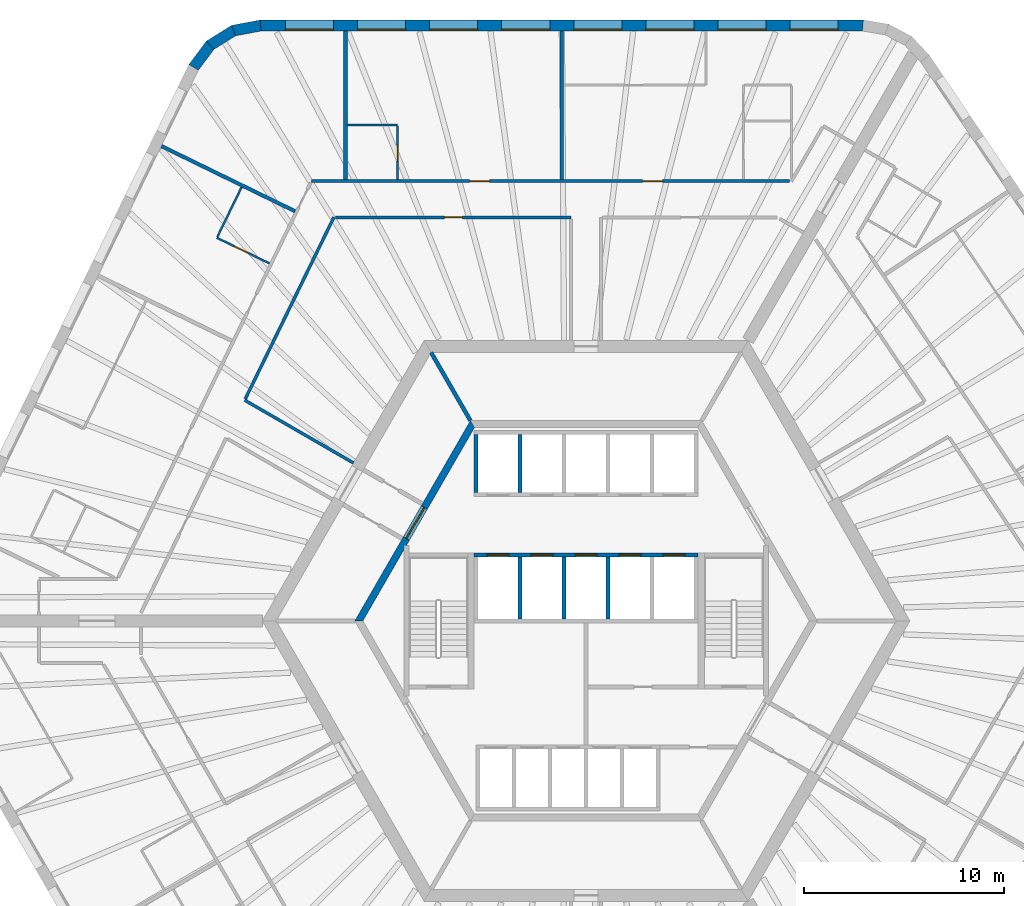
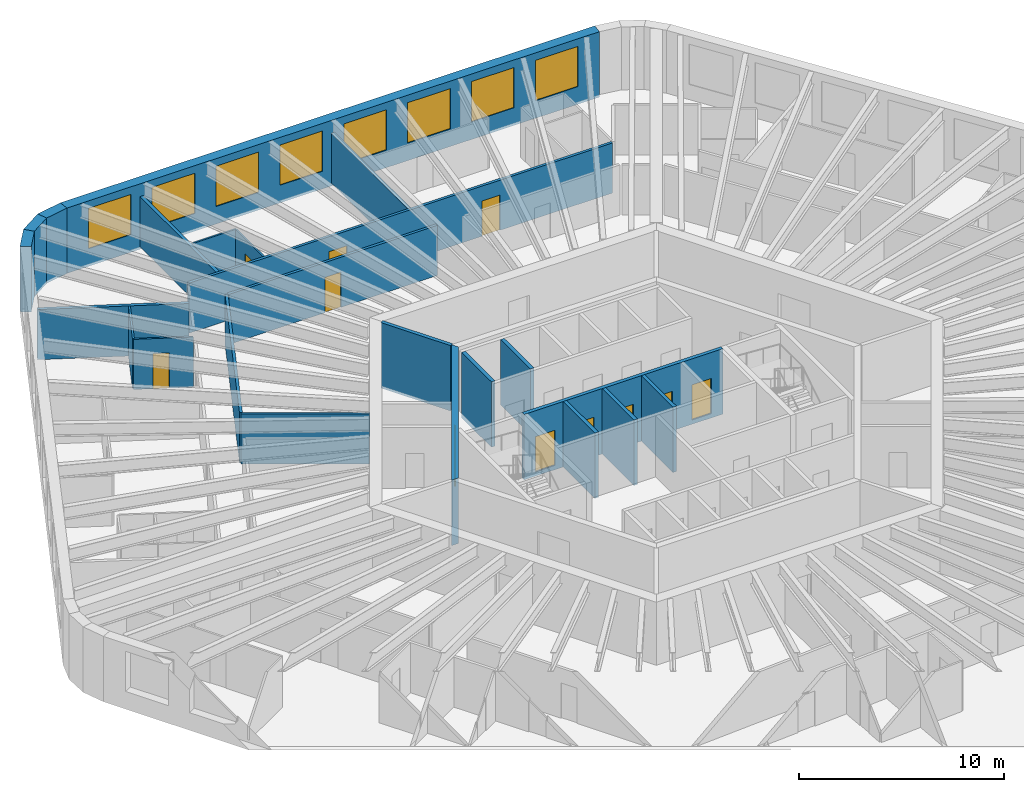
# One storey, part 8 of 12: 23 walls, 11 doors, 8 windows, 19 openings.
"""IFC4 building model written with IfcOpenShell, lengths in metres."""

from ifc_helpers import new_model, si_unit, direction, frame, frame_2d, origin, place, context, subcontext, project, spatial, polyline, rectangle, outline, extrude, material, layer, layer_set, type_object, element, fill, save


model = new_model("IFC4")

# Units and contexts
model_context = context("Model", 3, precision=1e-05, world=origin(), true_north=direction((0.0, 1.0)))
body_context = subcontext(model_context, "Body", "Model", "MODEL_VIEW")
ifc_project = project(units=[si_unit("LENGTHUNIT", "METRE"), si_unit("AREAUNIT", "SQUARE_METRE"), si_unit("VOLUMEUNIT", "CUBIC_METRE"), si_unit("PLANEANGLEUNIT", "RADIAN"), si_unit("MASSUNIT", "GRAM", prefix="KILO")], contexts=[model_context])

# Site, building, storey
site_placement = place(None, origin())
site = spatial("IfcSite", under=ifc_project, at=site_placement, CompositionType="ELEMENT")
building_placement = place(site_placement, origin())
building = spatial("IfcBuilding", under=site, at=building_placement, Name="Tarnside Tower", CompositionType="ELEMENT")
storey_placement = place(building_placement, frame((0.0, 0.0, 76.5)))
storey = spatial("IfcBuildingStorey", under=building, at=storey_placement, Name="L16", CompositionType="ELEMENT", Elevation=76.5)

# Wall
ifc_material_1 = material(Name="Gypsum board partition on steel studs", Category="steel")
ifc_layer_1 = layer(ifc_material_1, 0.10009765625)
ifc_layer_set_1 = layer_set([ifc_layer_1], Name="Bathroom wall 100")
wall_type_1 = type_object("IfcWallType", Name="Bathroom wall 100", PredefinedType="PARTITIONING", material=ifc_layer_set_1)
wall_1_placement = place(storey_placement, frame((-11.921142578125, 24.75, 0.0), z_axis=(0.0, 0.0, 1.0), x_axis=(1.0, 0.0, 0.0)))
element("IfcWall", 1, at=wall_1_placement, inside=storey, type_object=wall_type_1, Name="Bathroom wall 04086", PredefinedType="PARTITIONING", context=body_context, shape_type="SweptSolid", body=[
    extrude(rectangle(XDim=2.510009765625, YDim=0.10009765625, at=frame_2d((1.2548828125, 0.0))), origin(), (0.0, 0.0, 1.0), 2.98779296875),
])

# Wall, opening, door
wall_2_placement = place(storey_placement, frame((-9.4111328125, 24.699951171875, 0.0), z_axis=(0.0, 0.0, 1.0), x_axis=(0.0, -1.0, 0.0)))
wall_2 = element("IfcWall", 2, at=wall_2_placement, inside=storey, type_object=wall_type_1, Name="Bathroom wall 04087", PredefinedType="PARTITIONING", context=body_context, shape_type="SweptSolid", body=[
    extrude(rectangle(XDim=2.675048828125, YDim=0.10009765625, at=frame_2d((1.33740234375, 0.0))), origin(), (0.0, 0.0, 1.0), 2.98779296875),
])
opening_1_placement = place(wall_2_placement, frame((0.949951171875, 0.0, 0.0)))
opening_1 = element("IfcOpeningElement", 3, at=opening_1_placement, cuts=wall_2, Name="Opening D-B1", PredefinedType="OPENING", context=body_context, shape_type="SweptSolid", body=[
    extrude(rectangle(XDim=0.800048828125, YDim=2.10009765625, at=frame_2d((0.39990234375, 1.050048828125))), frame((0.0, 0.06005859375, 0.0), z_axis=(0.0, -1.0, 0.0), x_axis=(1.0, 0.0, 0.0)), (0.0, 0.0, 1.0), 0.1201171875),
])
ifc_material_2 = material(Name="Timber door leaf", Category="wood")
door_type_1 = type_object("IfcDoorType", Name="Bathroom door 800", OperationType="NOTDEFINED", PredefinedType="DOOR", material=ifc_material_2)
door_1_placement = place(opening_1_placement, origin())
door_1 = element("IfcDoor", 4, at=door_1_placement, inside=storey, type_object=door_type_1, Name="Bathroom door 04006", OperationType="SINGLE_SWING_LEFT", OverallHeight=2.10009765625, OverallWidth=0.800048828125, PredefinedType="DOOR", context=body_context, shape_type="SweptSolid", body=[
    extrude(rectangle(XDim=0.800048828125, YDim=2.10009765625, at=frame_2d((0.39990234375, 1.050048828125))), frame((0.0, 0.02490234375, 0.0), z_axis=(0.0, -1.0, 0.0), x_axis=(1.0, 0.0, 0.0)), (0.0, 0.0, 1.0), 0.050048828125),
])
fill(opening_1, door_1)

wall_3_placement = place(storey_placement, frame((-15.802001953125, 17.84423828125, 0.0), z_axis=(0.0, 0.0, 1.0), x_axis=(-0.898790906006, 0.438377585285, 0.0)))
wall_3 = element("IfcWall", 5, at=wall_3_placement, inside=storey, type_object=wall_type_1, Name="Bathroom wall 04092", PredefinedType="PARTITIONING", context=body_context, shape_type="SweptSolid", body=[
    extrude(rectangle(XDim=2.925048828125, YDim=0.10009765625, at=frame_2d((1.46240234375, 0.0))), origin(), (0.0, 0.0, 1.0), 2.98779296875),
])
opening_2_placement = place(wall_3_placement, frame((1.175048828125, 0.0, 0.0)))
opening_2 = element("IfcOpeningElement", 6, at=opening_2_placement, cuts=wall_3, Name="Opening D-B1", PredefinedType="OPENING", context=body_context, shape_type="SweptSolid", body=[
    extrude(rectangle(XDim=0.800048828125, YDim=2.10009765625, at=frame_2d((0.39990234375, 1.050048828125))), frame((0.0, 0.06005859375, 0.0), z_axis=(0.0, -1.0, 0.0), x_axis=(1.0, 0.0, 0.0)), (0.0, 0.0, 1.0), 0.1201171875),
])
door_2_placement = place(opening_2_placement, origin())
door_2 = element("IfcDoor", 7, at=door_2_placement, inside=storey, type_object=door_type_1, Name="Bathroom door 04009", OperationType="SINGLE_SWING_LEFT", OverallHeight=2.10009765625, OverallWidth=0.800048828125, PredefinedType="DOOR", context=body_context, shape_type="SweptSolid", body=[
    extrude(rectangle(XDim=0.800048828125, YDim=2.10009765625, at=frame_2d((0.39990234375, 1.050048828125))), frame((0.0, 0.02490234375, 0.0), z_axis=(0.0, -1.0, 0.0), x_axis=(1.0, 0.0, 0.0)), (0.0, 0.0, 1.0), 0.050048828125),
])
fill(opening_2, door_2)

# Wall
wall_4_placement = place(storey_placement, frame((-18.408935546875, 19.17138671875, 0.0), z_axis=(0.0, 0.0, 1.0), x_axis=(0.438416660488, 0.898771846359, 0.0)))
element("IfcWall", 8, at=wall_4_placement, inside=storey, type_object=wall_type_1, Name="Bathroom wall 04093", PredefinedType="PARTITIONING", context=body_context, shape_type="SweptSolid", body=[
    extrude(rectangle(XDim=2.759765625, YDim=0.10009765625, at=frame_2d((1.3798828125, 0.0))), origin(), (0.0, 0.0, 1.0), 2.98779296875),
])

# Wall, opening, door
ifc_material_3 = material(Name="Concrete C50/60", Category="concrete")
ifc_layer_2 = layer(ifc_material_3, 0.35009765625)
ifc_layer_set_2 = layer_set([ifc_layer_2], Name="Core block wall 350 C50/60")
wall_type_2 = type_object("IfcWallType", Name="Core block wall 350 C50/60", PredefinedType="SHEAR", material=ifc_layer_set_2)
wall_5_placement = place(storey_placement, frame((-5.672607421875, 9.824951171875, -0.14990234375), z_axis=(0.0, 0.0, 1.0), x_axis=(-0.499995046907, -0.866028263435, 0.0)))
wall_5 = element("IfcWall", 9, at=wall_5_placement, inside=storey, type_object=wall_type_2, Name="L16 core block wall face 2", PredefinedType="SHEAR", context=body_context, shape_type="SweptSolid", body=[
    extrude(outline(polyline([(-0.10107421875, -0.175048828125), (11.44580078125, -0.175048828125), (11.24365234375, 0.175048828125), (0.10107421875, 0.175048828125), (-0.10107421875, -0.175048828125)])), origin(), (0.0, 0.0, 1.0), 3.89990234375),
])
opening_3_placement = place(wall_5_placement, frame((4.80126953125, 0.0, 0.14990234375)))
opening_3 = element("IfcOpeningElement", 10, at=opening_3_placement, cuts=wall_5, Name="Opening CD-LOB", PredefinedType="OPENING", context=body_context, shape_type="SweptSolid", body=[
    extrude(rectangle(XDim=1.800048828125, YDim=2.39990234375, at=frame_2d((0.89990234375, 1.199951171875))), frame((0.0, 0.18505859375, 0.0), z_axis=(0.0, -1.0, 0.0), x_axis=(1.0, 0.0, 0.0)), (0.0, 0.0, 1.0), 0.3701171875),
])
ifc_material_4 = material(Name="Steel fire door", Category="steel")
door_type_2 = type_object("IfcDoorType", Name="Lobby double door FD30S 1800x2400", OperationType="NOTDEFINED", PredefinedType="DOOR", material=ifc_material_4)
door_3_placement = place(opening_3_placement, origin())
door_3 = element("IfcDoor", 11, at=door_3_placement, inside=storey, type_object=door_type_2, Name="L16 lobby block door P1", OperationType="DOUBLE_DOOR_SINGLE_SWING", OverallHeight=2.39990234375, OverallWidth=1.800048828125, PredefinedType="DOOR", context=body_context, shape_type="SweptSolid", body=[
    extrude(rectangle(XDim=1.800048828125, YDim=2.39990234375, at=frame_2d((0.89990234375, 1.199951171875))), frame((0.0, 0.02490234375, 0.0), z_axis=(0.0, -1.0, 0.0), x_axis=(1.0, 0.0, 0.0)), (0.0, 0.0, 1.0), 0.050048828125),
])
fill(opening_3, door_3)

# Wall, openings, doors
ifc_layer_3 = layer(ifc_material_1, 0.14990234375)
ifc_layer_set_3 = layer_set([ifc_layer_3], Name="Corridor wall 150 EI 60")
wall_type_3 = type_object("IfcWallType", Name="Corridor wall 150 EI 60", PredefinedType="PARTITIONING", material=ifc_layer_set_3)
wall_6_placement = place(storey_placement, frame((10.161376953125, 21.949951171875, 0.0), z_axis=(0.0, 0.0, 1.0), x_axis=(-1.0, 0.0, 0.0)))
wall_6 = element("IfcWall", 12, at=wall_6_placement, inside=storey, type_object=wall_type_3, Name="Corridor wall 04001", PredefinedType="PARTITIONING", context=body_context, shape_type="SweptSolid", body=[
    extrude(rectangle(XDim=23.877197265625, YDim=0.14990234375, at=frame_2d((11.9384765625, 0.0))), origin(), (0.0, 0.0, 1.0), 2.98779296875),
])
opening_4_placement = place(wall_6_placement, frame((6.343017578125, 0.0, 0.0)))
opening_4 = element("IfcOpeningElement", 13, at=opening_4_placement, cuts=wall_6, Name="Opening D-E1", PredefinedType="OPENING", context=body_context, shape_type="SweptSolid", body=[
    extrude(rectangle(XDim=1.0, YDim=2.10009765625, at=frame_2d((0.5, 1.050048828125))), frame((0.0, 0.0849609375, 0.0), z_axis=(0.0, -1.0, 0.0), x_axis=(1.0, 0.0, 0.0)), (0.0, 0.0, 1.0), 0.169921875),
])
opening_5_placement = place(wall_6_placement, frame((14.972412109375, 0.0, 0.0)))
opening_5 = element("IfcOpeningElement", 14, at=opening_5_placement, cuts=wall_6, Name="Opening D-E1", PredefinedType="OPENING", context=body_context, shape_type="SweptSolid", body=[
    extrude(rectangle(XDim=1.0, YDim=2.10009765625, at=frame_2d((0.5, 1.050048828125))), frame((0.0, 0.0849609375, 0.0), z_axis=(0.0, -1.0, 0.0), x_axis=(1.0, 0.0, 0.0)), (0.0, 0.0, 1.0), 0.169921875),
])
door_type_3 = type_object("IfcDoorType", Name="Unit entrance door 1000 FD30S", OperationType="NOTDEFINED", PredefinedType="DOOR", material=ifc_material_2)
door_4_placement = place(opening_4_placement, origin())
door_4 = element("IfcDoor", 15, at=door_4_placement, inside=storey, type_object=door_type_3, Name="Unit door 04001", OperationType="SINGLE_SWING_LEFT", OverallHeight=2.10009765625, OverallWidth=1.0, PredefinedType="DOOR", context=body_context, shape_type="SweptSolid", body=[
    extrude(rectangle(XDim=1.0, YDim=2.10009765625, at=frame_2d((0.5, 1.050048828125))), frame((0.0, 0.02490234375, 0.0), z_axis=(0.0, -1.0, 0.0), x_axis=(1.0, 0.0, 0.0)), (0.0, 0.0, 1.0), 0.050048828125),
])
fill(opening_4, door_4)
door_5_placement = place(opening_5_placement, origin())
door_5 = element("IfcDoor", 16, at=door_5_placement, inside=storey, type_object=door_type_3, Name="Unit door 04005", OperationType="SINGLE_SWING_RIGHT", OverallHeight=2.10009765625, OverallWidth=1.0, PredefinedType="DOOR", context=body_context, shape_type="SweptSolid", body=[
    extrude(rectangle(XDim=1.0, YDim=2.10009765625, at=frame_2d((0.5, 1.050048828125))), frame((0.0, 0.02490234375, 0.0), z_axis=(0.0, -1.0, 0.0), x_axis=(1.0, 0.0, 0.0)), (0.0, 0.0, 1.0), 0.050048828125),
])
fill(opening_5, door_5)

# Walls
wall_7_placement = place(storey_placement, frame((-11.61376953125, 7.88427734375, 0.0), z_axis=(0.0, 0.0, 1.0), x_axis=(-0.866025438137, 0.4999999405, 0.0)))
element("IfcWall", 17, at=wall_7_placement, inside=storey, type_object=wall_type_3, Name="Corridor wall 04016", PredefinedType="PARTITIONING", context=body_context, shape_type="SweptSolid", body=[
    extrude(rectangle(XDim=6.2705078125, YDim=0.14990234375, at=frame_2d((3.13525390625, 0.0))), origin(), (0.0, 0.0, 1.0), 2.98779296875),
])
wall_8_placement = place(storey_placement, frame((-17.01123046875, 11.087158203125, 0.0), z_axis=(0.0, 0.0, 1.0), x_axis=(0.43836877185, 0.898795204631, 0.0)))
element("IfcWall", 18, at=wall_8_placement, inside=storey, type_object=wall_type_3, Name="Corridor wall 04017", PredefinedType="PARTITIONING", context=body_context, shape_type="SweptSolid", body=[
    extrude(rectangle(XDim=10.083251953125, YDim=0.14990234375, at=frame_2d((5.04150390625, 0.0))), origin(), (0.0, 0.0, 1.0), 2.98779296875),
])

# Wall, opening, door
wall_9_placement = place(storey_placement, frame((-12.507568359375, 20.14990234375, 0.0), z_axis=(0.0, 0.0, 1.0), x_axis=(1.0, 0.0, 0.0)))
wall_9 = element("IfcWall", 19, at=wall_9_placement, inside=storey, type_object=wall_type_3, Name="Corridor wall 04018", PredefinedType="PARTITIONING", context=body_context, shape_type="SweptSolid", body=[
    extrude(rectangle(XDim=11.757568359375, YDim=0.14990234375, at=frame_2d((5.87890625, 0.0))), origin(), (0.0, 0.0, 1.0), 2.98779296875),
])
opening_6_placement = place(wall_9_placement, frame((5.428955078125, 0.0, 0.0)))
opening_6 = element("IfcOpeningElement", 20, at=opening_6_placement, cuts=wall_9, Name="Opening D-S1", PredefinedType="OPENING", context=body_context, shape_type="SweptSolid", body=[
    extrude(rectangle(XDim=0.89990234375, YDim=2.10009765625, at=frame_2d((0.449951171875, 1.050048828125))), frame((0.0, 0.0849609375, 0.0), z_axis=(0.0, -1.0, 0.0), x_axis=(1.0, 0.0, 0.0)), (0.0, 0.0, 1.0), 0.169921875),
])
door_type_4 = type_object("IfcDoorType", Name="Service room door 900 FD30S", OperationType="NOTDEFINED", PredefinedType="DOOR", material=ifc_material_2)
door_6_placement = place(opening_6_placement, origin())
door_6 = element("IfcDoor", 21, at=door_6_placement, inside=storey, type_object=door_type_4, Name="Service door 04041", OperationType="SINGLE_SWING_RIGHT", OverallHeight=2.10009765625, OverallWidth=0.89990234375, PredefinedType="DOOR", context=body_context, shape_type="SweptSolid", body=[
    extrude(rectangle(XDim=0.89990234375, YDim=2.10009765625, at=frame_2d((0.449951171875, 1.050048828125))), frame((0.0, 0.02490234375, 0.0), z_axis=(0.0, -1.0, 0.0), x_axis=(1.0, 0.0, 0.0)), (0.0, 0.0, 1.0), 0.050048828125),
])
fill(opening_6, door_6)

# Walls
ifc_layer_4 = layer(ifc_material_1, 0.179931640625)
ifc_layer_set_4 = layer_set([ifc_layer_4], Name="Demising wall 180 EI 60")
wall_type_4 = type_object("IfcWallType", Name="Demising wall 180 EI 60", PredefinedType="PARTITIONING", material=ifc_layer_set_4)
for number, where, z_axis, x_axis, name in (
    (22, (-1.2109375, 29.449951171875, 0.0), (0.0, 0.0, 1.0), (0.0, -1.0, 0.0), "Demising wall 04083"),
    (23, (-12.010986328125, 29.449951171875, 0.0), (0.0, 0.0, 1.0), (0.0, -1.0, 0.0), "Demising wall 04088"),
    (24, (-21.2041015625, 23.70556640625, 0.0), (0.0, 0.0, 1.0), (0.898796252669, -0.438366623032, 0.0), "Demising wall 04090"),
):
    element("IfcWall", number, at=place(storey_placement, frame(where, z_axis=z_axis, x_axis=x_axis)), inside=storey, type_object=wall_type_4, Name=name, PredefinedType="PARTITIONING", context=body_context, shape_type="SweptSolid", body=[
        extrude(rectangle(XDim=7.425048828125, YDim=0.179931640625, at=frame_2d((3.71240234375, 0.0))), origin(), (0.0, 0.0, 1.0), 2.98779296875),
    ])
ifc_material_5 = material(Name="Concrete C40/50", Category="concrete")
ifc_layer_5 = layer(ifc_material_5, 0.199951171875)
ifc_layer_set_5 = layer_set([ifc_layer_5], Name="Lift shaft wall 200 C40/50")
wall_type_5 = type_object("IfcWallType", Name="Lift shaft wall 200 C40/50", PredefinedType="SHEAR", material=ifc_layer_set_5)
for number, where, z_axis, x_axis, name in (
    (25, (-5.5, 6.39990234375, -0.25), (0.0, 0.0, 1.0), (0.0, 1.0, 0.0), "L16 lift shaft partition R11"),
    (26, (-3.300048828125, 6.39990234375, -0.25), (0.0, 0.0, 1.0), (0.0, 1.0, 0.0), "L16 lift shaft partition R12"),
):
    element("IfcWall", number, at=place(storey_placement, frame(where, z_axis=z_axis, x_axis=x_axis)), inside=storey, type_object=wall_type_5, Name=name, PredefinedType="SHEAR", context=body_context, shape_type="SweptSolid", body=[
        extrude(rectangle(XDim=2.900146484375, YDim=0.199951171875, at=frame_2d((1.4501953125, 0.0))), origin(), (0.0, 0.0, 1.0), 3.89990234375),
    ])

# Wall, openings, doors
wall_10_placement = place(storey_placement, frame((-5.60009765625, 3.300048828125, -0.25), z_axis=(0.0, 0.0, 1.0), x_axis=(1.0, 0.0, 0.0)))
wall_10 = element("IfcWall", 27, at=wall_10_placement, inside=storey, type_object=wall_type_5, Name="L16 lift shaft front wall R2", PredefinedType="SHEAR", context=body_context, shape_type="SweptSolid", body=[
    extrude(rectangle(XDim=11.2001953125, YDim=0.199951171875, at=frame_2d((5.60009765625, 0.0))), origin(), (0.0, 0.0, 1.0), 3.89990234375),
])
opening_7_placement = place(wall_10_placement, frame((0.64990234375, 0.0, 0.25)))
opening_7 = element("IfcOpeningElement", 28, at=opening_7_placement, cuts=wall_10, Name="Opening LD", PredefinedType="OPENING", context=body_context, shape_type="SweptSolid", body=[
    extrude(rectangle(XDim=1.10009765625, YDim=2.10009765625, at=frame_2d((0.550048828125, 1.050048828125))), frame((0.0, 0.10986328125, 0.0), z_axis=(0.0, -1.0, 0.0), x_axis=(1.0, 0.0, 0.0)), (0.0, 0.0, 1.0), 0.219970703125),
])
opening_8_placement = place(wall_10_placement, frame((2.85009765625, 0.0, 0.25)))
opening_8 = element("IfcOpeningElement", 29, at=opening_8_placement, cuts=wall_10, Name="Opening LD", PredefinedType="OPENING", context=body_context, shape_type="SweptSolid", body=[
    extrude(rectangle(XDim=1.10009765625, YDim=2.10009765625, at=frame_2d((0.550048828125, 1.050048828125))), frame((0.0, 0.10986328125, 0.0), z_axis=(0.0, -1.0, 0.0), x_axis=(1.0, 0.0, 0.0)), (0.0, 0.0, 1.0), 0.219970703125),
])
opening_9_placement = place(wall_10_placement, frame((5.050048828125, 0.0, 0.25)))
opening_9 = element("IfcOpeningElement", 30, at=opening_9_placement, cuts=wall_10, Name="Opening LD", PredefinedType="OPENING", context=body_context, shape_type="SweptSolid", body=[
    extrude(rectangle(XDim=1.10009765625, YDim=2.10009765625, at=frame_2d((0.550048828125, 1.050048828125))), frame((0.0, 0.10986328125, 0.0), z_axis=(0.0, -1.0, 0.0), x_axis=(1.0, 0.0, 0.0)), (0.0, 0.0, 1.0), 0.219970703125),
])
opening_10_placement = place(wall_10_placement, frame((7.25, 0.0, 0.25)))
opening_10 = element("IfcOpeningElement", 31, at=opening_10_placement, cuts=wall_10, Name="Opening LD", PredefinedType="OPENING", context=body_context, shape_type="SweptSolid", body=[
    extrude(rectangle(XDim=1.10009765625, YDim=2.10009765625, at=frame_2d((0.550048828125, 1.050048828125))), frame((0.0, 0.10986328125, 0.0), z_axis=(0.0, -1.0, 0.0), x_axis=(1.0, 0.0, 0.0)), (0.0, 0.0, 1.0), 0.219970703125),
])
opening_11_placement = place(wall_10_placement, frame((9.449951171875, 0.0, 0.25)))
opening_11 = element("IfcOpeningElement", 32, at=opening_11_placement, cuts=wall_10, Name="Opening LD", PredefinedType="OPENING", context=body_context, shape_type="SweptSolid", body=[
    extrude(rectangle(XDim=1.10009765625, YDim=2.10009765625, at=frame_2d((0.550048828125, 1.050048828125))), frame((0.0, 0.10986328125, 0.0), z_axis=(0.0, -1.0, 0.0), x_axis=(1.0, 0.0, 0.0)), (0.0, 0.0, 1.0), 0.219970703125),
])
ifc_material_6 = material(Name="Stainless steel", Category="steel")
door_type_5 = type_object("IfcDoorType", Name="Lift landing door 1100x2100", OperationType="NOTDEFINED", PredefinedType="DOOR", material=ifc_material_6)
door_7_placement = place(opening_7_placement, origin())
door_7 = element("IfcDoor", 33, at=door_7_placement, inside=storey, type_object=door_type_5, Name="Low-rise lift 4 landing door L16", OperationType="SLIDING_TO_LEFT", OverallHeight=2.10009765625, OverallWidth=1.10009765625, PredefinedType="DOOR", context=body_context, shape_type="SweptSolid", body=[
    extrude(rectangle(XDim=1.10009765625, YDim=2.10009765625, at=frame_2d((0.550048828125, 1.050048828125))), frame((0.0, 0.02490234375, 0.0), z_axis=(0.0, -1.0, 0.0), x_axis=(1.0, 0.0, 0.0)), (0.0, 0.0, 1.0), 0.050048828125),
])
fill(opening_7, door_7)
door_8_placement = place(opening_8_placement, origin())
door_8 = element("IfcDoor", 34, at=door_8_placement, inside=storey, type_object=door_type_5, Name="Low-rise lift 5 landing door L16", OperationType="SLIDING_TO_LEFT", OverallHeight=2.10009765625, OverallWidth=1.10009765625, PredefinedType="DOOR", context=body_context, shape_type="SweptSolid", body=[
    extrude(rectangle(XDim=1.10009765625, YDim=2.10009765625, at=frame_2d((0.550048828125, 1.050048828125))), frame((0.0, 0.02490234375, 0.0), z_axis=(0.0, -1.0, 0.0), x_axis=(1.0, 0.0, 0.0)), (0.0, 0.0, 1.0), 0.050048828125),
])
fill(opening_8, door_8)
door_9_placement = place(opening_9_placement, origin())
door_9 = element("IfcDoor", 35, at=door_9_placement, inside=storey, type_object=door_type_5, Name="Low-rise lift 6 landing door L16", OperationType="SLIDING_TO_LEFT", OverallHeight=2.10009765625, OverallWidth=1.10009765625, PredefinedType="DOOR", context=body_context, shape_type="SweptSolid", body=[
    extrude(rectangle(XDim=1.10009765625, YDim=2.10009765625, at=frame_2d((0.550048828125, 1.050048828125))), frame((0.0, 0.02490234375, 0.0), z_axis=(0.0, -1.0, 0.0), x_axis=(1.0, 0.0, 0.0)), (0.0, 0.0, 1.0), 0.050048828125),
])
fill(opening_9, door_9)
door_10_placement = place(opening_10_placement, origin())
door_10 = element("IfcDoor", 36, at=door_10_placement, inside=storey, type_object=door_type_5, Name="High sky-lobby shuttle 1 landing door L16", OperationType="SLIDING_TO_LEFT", OverallHeight=2.10009765625, OverallWidth=1.10009765625, PredefinedType="DOOR", context=body_context, shape_type="SweptSolid", body=[
    extrude(rectangle(XDim=1.10009765625, YDim=2.10009765625, at=frame_2d((0.550048828125, 1.050048828125))), frame((0.0, 0.02490234375, 0.0), z_axis=(0.0, -1.0, 0.0), x_axis=(1.0, 0.0, 0.0)), (0.0, 0.0, 1.0), 0.050048828125),
])
fill(opening_10, door_10)
door_11_placement = place(opening_11_placement, origin())
door_11 = element("IfcDoor", 37, at=door_11_placement, inside=storey, type_object=door_type_5, Name="Express sky-lobby shuttle 2 landing door L16", OperationType="SLIDING_TO_LEFT", OverallHeight=2.10009765625, OverallWidth=1.10009765625, PredefinedType="DOOR", context=body_context, shape_type="SweptSolid", body=[
    extrude(rectangle(XDim=1.10009765625, YDim=2.10009765625, at=frame_2d((0.550048828125, 1.050048828125))), frame((0.0, 0.02490234375, 0.0), z_axis=(0.0, -1.0, 0.0), x_axis=(1.0, 0.0, 0.0)), (0.0, 0.0, 1.0), 0.050048828125),
])
fill(opening_11, door_11)

# Walls
for number, where, z_axis, x_axis, name in (
    (38, (-3.300048828125, 0.10009765625, -0.25), (0.0, 0.0, 1.0), (0.0, 1.0, 0.0), "L16 lift shaft partition R22"),
    (39, (-1.10009765625, 0.10009765625, -0.25), (0.0, 0.0, 1.0), (0.0, 1.0, 0.0), "L16 lift shaft partition R23"),
    (40, (1.10009765625, 0.10009765625, -0.25), (0.0, 0.0, 1.0), (0.0, 1.0, 0.0), "L16 lift shaft partition R24"),
):
    element("IfcWall", number, at=place(storey_placement, frame(where, z_axis=z_axis, x_axis=x_axis)), inside=storey, type_object=wall_type_5, Name=name, PredefinedType="SHEAR", context=body_context, shape_type="SweptSolid", body=[
        extrude(rectangle(XDim=3.099853515625, YDim=0.199951171875, at=frame_2d((1.5498046875, 0.0))), origin(), (0.0, 0.0, 1.0), 3.89990234375),
    ])
wall_11_placement = place(storey_placement, frame((-5.7734375, 10.0, -0.14990234375), z_axis=(0.0, 0.0, 1.0), x_axis=(-0.500038251005, 0.86600331843, 0.0)))
element("IfcWall", 41, at=wall_11_placement, inside=storey, type_object=wall_type_5, Name="L16 core partition AR120", PredefinedType="SHEAR", context=body_context, shape_type="SweptSolid", body=[
    extrude(rectangle(XDim=3.926025390625, YDim=0.199951171875, at=frame_2d((1.962890625, 0.0))), origin(), (0.0, 0.0, 1.0), 3.89990234375),
])

# Wall, openings, windows
ifc_material_7 = material(Name="Facing brick", Category="masonry")
ifc_layer_6 = layer(ifc_material_7, 0.10205078125)
ifc_material_8 = material(Name="Concrete C60/75 precast", Category="concrete")
ifc_layer_7 = layer(ifc_material_8, 0.347900390625)
ifc_material_9 = material(Name="Mineral wool insulation")
ifc_layer_8 = layer(ifc_material_9, 0.10009765625)
ifc_layer_set_6 = layer_set([ifc_layer_6, ifc_layer_7, ifc_layer_8], Name="Tube wall 550 brick faced")
wall_type_6 = type_object("IfcWallType", Name="Tube wall 550 brick faced", PredefinedType="SOLIDWALL", material=ifc_layer_set_6)
wall_12_placement = place(storey_placement, frame((13.824462890625, 29.72509765625, -0.14990234375), z_axis=(0.0, 0.0, 1.0), x_axis=(-1.0, 0.0, 0.0)))
wall_12 = element("IfcWall", 42, at=wall_12_placement, inside=storey, type_object=wall_type_6, Name="Tube wall L16 F1 flush 00", PredefinedType="SOLIDWALL", context=body_context, shape_type="SweptSolid", body=[
    extrude(outline(polyline([(-0.0224609375, -0.27490234375), (30.0966796875, -0.27490234375), (30.04541015625, 0.27490234375), (0.0224609375, 0.27490234375), (-0.0224609375, -0.27490234375)])), origin(), (0.0, 0.0, 1.0), 3.89990234375),
])
opening_12_placement = place(wall_12_placement, frame((1.235595703125, 0.0, 1.050048828125)))
opening_12 = element("IfcOpeningElement", 43, at=opening_12_placement, cuts=wall_12, Name="Opening WH", PredefinedType="OPENING", context=body_context, shape_type="SweptSolid", body=[
    extrude(rectangle(XDim=2.39990234375, YDim=2.39990234375, at=frame_2d((1.199951171875, 1.199951171875))), frame((0.0, 0.28515625, 0.0), z_axis=(0.0, -1.0, 0.0), x_axis=(1.0, 0.0, 0.0)), (0.0, 0.0, 1.0), 0.570068359375),
])
opening_13_placement = place(wall_12_placement, frame((4.83544921875, 0.0, 1.050048828125)))
opening_13 = element("IfcOpeningElement", 44, at=opening_13_placement, cuts=wall_12, Name="Opening WH", PredefinedType="OPENING", context=body_context, shape_type="SweptSolid", body=[
    extrude(rectangle(XDim=2.39990234375, YDim=2.39990234375, at=frame_2d((1.199951171875, 1.199951171875))), frame((0.0, 0.28515625, 0.0), z_axis=(0.0, -1.0, 0.0), x_axis=(1.0, 0.0, 0.0)), (0.0, 0.0, 1.0), 0.570068359375),
])
opening_14_placement = place(wall_12_placement, frame((8.435546875, 0.0, 1.050048828125)))
opening_14 = element("IfcOpeningElement", 45, at=opening_14_placement, cuts=wall_12, Name="Opening WH", PredefinedType="OPENING", context=body_context, shape_type="SweptSolid", body=[
    extrude(rectangle(XDim=2.39990234375, YDim=2.39990234375, at=frame_2d((1.199951171875, 1.199951171875))), frame((0.0, 0.28515625, 0.0), z_axis=(0.0, -1.0, 0.0), x_axis=(1.0, 0.0, 0.0)), (0.0, 0.0, 1.0), 0.570068359375),
])
opening_15_placement = place(wall_12_placement, frame((12.035400390625, 0.0, 1.050048828125)))
opening_15 = element("IfcOpeningElement", 46, at=opening_15_placement, cuts=wall_12, Name="Opening WH", PredefinedType="OPENING", context=body_context, shape_type="SweptSolid", body=[
    extrude(rectangle(XDim=2.39990234375, YDim=2.39990234375, at=frame_2d((1.199951171875, 1.199951171875))), frame((0.0, 0.28515625, 0.0), z_axis=(0.0, -1.0, 0.0), x_axis=(1.0, 0.0, 0.0)), (0.0, 0.0, 1.0), 0.570068359375),
])
opening_16_placement = place(wall_12_placement, frame((15.635498046875, 0.0, 1.050048828125)))
opening_16 = element("IfcOpeningElement", 47, at=opening_16_placement, cuts=wall_12, Name="Opening WH", PredefinedType="OPENING", context=body_context, shape_type="SweptSolid", body=[
    extrude(rectangle(XDim=2.39990234375, YDim=2.39990234375, at=frame_2d((1.199951171875, 1.199951171875))), frame((0.0, 0.28515625, 0.0), z_axis=(0.0, -1.0, 0.0), x_axis=(1.0, 0.0, 0.0)), (0.0, 0.0, 1.0), 0.570068359375),
])
opening_17_placement = place(wall_12_placement, frame((19.235595703125, 0.0, 1.050048828125)))
opening_17 = element("IfcOpeningElement", 48, at=opening_17_placement, cuts=wall_12, Name="Opening WH", PredefinedType="OPENING", context=body_context, shape_type="SweptSolid", body=[
    extrude(rectangle(XDim=2.39990234375, YDim=2.39990234375, at=frame_2d((1.199951171875, 1.199951171875))), frame((0.0, 0.28515625, 0.0), z_axis=(0.0, -1.0, 0.0), x_axis=(1.0, 0.0, 0.0)), (0.0, 0.0, 1.0), 0.570068359375),
])
opening_18_placement = place(wall_12_placement, frame((22.83544921875, 0.0, 1.050048828125)))
opening_18 = element("IfcOpeningElement", 49, at=opening_18_placement, cuts=wall_12, Name="Opening WH", PredefinedType="OPENING", context=body_context, shape_type="SweptSolid", body=[
    extrude(rectangle(XDim=2.39990234375, YDim=2.39990234375, at=frame_2d((1.199951171875, 1.199951171875))), frame((0.0, 0.28515625, 0.0), z_axis=(0.0, -1.0, 0.0), x_axis=(1.0, 0.0, 0.0)), (0.0, 0.0, 1.0), 0.570068359375),
])
opening_19_placement = place(wall_12_placement, frame((26.435546875, 0.0, 1.050048828125)))
opening_19 = element("IfcOpeningElement", 50, at=opening_19_placement, cuts=wall_12, Name="Opening WH", PredefinedType="OPENING", context=body_context, shape_type="SweptSolid", body=[
    extrude(rectangle(XDim=2.39990234375, YDim=2.39990234375, at=frame_2d((1.199951171875, 1.199951171875))), frame((0.0, 0.28515625, 0.0), z_axis=(0.0, -1.0, 0.0), x_axis=(1.0, 0.0, 0.0)), (0.0, 0.0, 1.0), 0.570068359375),
])
ifc_material_10 = material(Name="Aluminium-framed double glazing", Category="aluminium")
window_type = type_object("IfcWindowType", Name="Hotel window 2400 x 2400", PartitioningType="DOUBLE_PANEL_VERTICAL", PredefinedType="WINDOW", material=ifc_material_10)
window_1_placement = place(opening_12_placement, frame((0.0, 0.205078125, 0.0)))
window_1 = element("IfcWindow", 51, at=window_1_placement, inside=storey, type_object=window_type, Name="E.WN.L16.F1.00", OverallHeight=2.39990234375, OverallWidth=2.39990234375, PartitioningType="DOUBLE_PANEL_VERTICAL", PredefinedType="WINDOW", context=body_context, shape_type="SweptSolid", body=[
    extrude(rectangle(XDim=2.39990234375, YDim=2.39990234375, at=frame_2d((1.199951171875, 1.199951171875))), frame((0.0, 0.030029296875, 0.0), z_axis=(0.0, -1.0, 0.0), x_axis=(1.0, 0.0, 0.0)), (0.0, 0.0, 1.0), 0.06005859375),
])
fill(opening_12, window_1)
window_2_placement = place(opening_13_placement, frame((0.0, 0.205078125, 0.0)))
window_2 = element("IfcWindow", 52, at=window_2_placement, inside=storey, type_object=window_type, Name="E.WN.L16.F1.01", OverallHeight=2.39990234375, OverallWidth=2.39990234375, PartitioningType="DOUBLE_PANEL_VERTICAL", PredefinedType="WINDOW", context=body_context, shape_type="SweptSolid", body=[
    extrude(rectangle(XDim=2.39990234375, YDim=2.39990234375, at=frame_2d((1.199951171875, 1.199951171875))), frame((0.0, 0.030029296875, 0.0), z_axis=(0.0, -1.0, 0.0), x_axis=(1.0, 0.0, 0.0)), (0.0, 0.0, 1.0), 0.06005859375),
])
fill(opening_13, window_2)
window_3_placement = place(opening_14_placement, frame((0.0, 0.205078125, 0.0)))
window_3 = element("IfcWindow", 53, at=window_3_placement, inside=storey, type_object=window_type, Name="E.WN.L16.F1.02", OverallHeight=2.39990234375, OverallWidth=2.39990234375, PartitioningType="DOUBLE_PANEL_VERTICAL", PredefinedType="WINDOW", context=body_context, shape_type="SweptSolid", body=[
    extrude(rectangle(XDim=2.39990234375, YDim=2.39990234375, at=frame_2d((1.199951171875, 1.199951171875))), frame((0.0, 0.030029296875, 0.0), z_axis=(0.0, -1.0, 0.0), x_axis=(1.0, 0.0, 0.0)), (0.0, 0.0, 1.0), 0.06005859375),
])
fill(opening_14, window_3)
window_4_placement = place(opening_15_placement, frame((0.0, 0.205078125, 0.0)))
window_4 = element("IfcWindow", 54, at=window_4_placement, inside=storey, type_object=window_type, Name="E.WN.L16.F1.03", OverallHeight=2.39990234375, OverallWidth=2.39990234375, PartitioningType="DOUBLE_PANEL_VERTICAL", PredefinedType="WINDOW", context=body_context, shape_type="SweptSolid", body=[
    extrude(rectangle(XDim=2.39990234375, YDim=2.39990234375, at=frame_2d((1.199951171875, 1.199951171875))), frame((0.0, 0.030029296875, 0.0), z_axis=(0.0, -1.0, 0.0), x_axis=(1.0, 0.0, 0.0)), (0.0, 0.0, 1.0), 0.06005859375),
])
fill(opening_15, window_4)
window_5_placement = place(opening_16_placement, frame((0.0, 0.205078125, 0.0)))
window_5 = element("IfcWindow", 55, at=window_5_placement, inside=storey, type_object=window_type, Name="E.WN.L16.F1.04", OverallHeight=2.39990234375, OverallWidth=2.39990234375, PartitioningType="DOUBLE_PANEL_VERTICAL", PredefinedType="WINDOW", context=body_context, shape_type="SweptSolid", body=[
    extrude(rectangle(XDim=2.39990234375, YDim=2.39990234375, at=frame_2d((1.199951171875, 1.199951171875))), frame((0.0, 0.030029296875, 0.0), z_axis=(0.0, -1.0, 0.0), x_axis=(1.0, 0.0, 0.0)), (0.0, 0.0, 1.0), 0.06005859375),
])
fill(opening_16, window_5)
window_6_placement = place(opening_17_placement, frame((0.0, 0.205078125, 0.0)))
window_6 = element("IfcWindow", 56, at=window_6_placement, inside=storey, type_object=window_type, Name="E.WN.L16.F1.05", OverallHeight=2.39990234375, OverallWidth=2.39990234375, PartitioningType="DOUBLE_PANEL_VERTICAL", PredefinedType="WINDOW", context=body_context, shape_type="SweptSolid", body=[
    extrude(rectangle(XDim=2.39990234375, YDim=2.39990234375, at=frame_2d((1.199951171875, 1.199951171875))), frame((0.0, 0.030029296875, 0.0), z_axis=(0.0, -1.0, 0.0), x_axis=(1.0, 0.0, 0.0)), (0.0, 0.0, 1.0), 0.06005859375),
])
fill(opening_17, window_6)
window_7_placement = place(opening_18_placement, frame((0.0, 0.205078125, 0.0)))
window_7 = element("IfcWindow", 57, at=window_7_placement, inside=storey, type_object=window_type, Name="E.WN.L16.F1.06", OverallHeight=2.39990234375, OverallWidth=2.39990234375, PartitioningType="DOUBLE_PANEL_VERTICAL", PredefinedType="WINDOW", context=body_context, shape_type="SweptSolid", body=[
    extrude(rectangle(XDim=2.39990234375, YDim=2.39990234375, at=frame_2d((1.199951171875, 1.199951171875))), frame((0.0, 0.030029296875, 0.0), z_axis=(0.0, -1.0, 0.0), x_axis=(1.0, 0.0, 0.0)), (0.0, 0.0, 1.0), 0.06005859375),
])
fill(opening_18, window_7)
window_8_placement = place(opening_19_placement, frame((0.0, 0.205078125, 0.0)))
window_8 = element("IfcWindow", 58, at=window_8_placement, inside=storey, type_object=window_type, Name="E.WN.L16.F1.07", OverallHeight=2.39990234375, OverallWidth=2.39990234375, PartitioningType="DOUBLE_PANEL_VERTICAL", PredefinedType="WINDOW", context=body_context, shape_type="SweptSolid", body=[
    extrude(rectangle(XDim=2.39990234375, YDim=2.39990234375, at=frame_2d((1.199951171875, 1.199951171875))), frame((0.0, 0.030029296875, 0.0), z_axis=(0.0, -1.0, 0.0), x_axis=(1.0, 0.0, 0.0)), (0.0, 0.0, 1.0), 0.06005859375),
])
fill(opening_19, window_8)

# Walls
wall_13_placement = place(storey_placement, frame((-16.24658203125, 29.72509765625, -0.14990234375), z_axis=(0.0, 0.0, 1.0), x_axis=(-0.982705443133, -0.185175624845, 0.0)))
element("IfcWall", 59, at=wall_13_placement, inside=storey, type_object=wall_type_6, Name="Tube wall L16 F1 chord 01", PredefinedType="SOLIDWALL", context=body_context, shape_type="SweptSolid", body=[
    extrude(outline(polyline([(-0.025634765625, -0.27490234375), (1.430908203125, -0.27490234375), (1.327392578125, 0.27490234375), (0.025634765625, 0.27490234375), (-0.025634765625, -0.27490234375)])), origin(), (0.0, 0.0, 1.0), 3.89990234375),
])
wall_14_placement = place(storey_placement, frame((-17.601806640625, 29.4697265625, -0.14990234375), z_axis=(0.0, 0.0, 1.0), x_axis=(-0.848057977594, -0.5299034503, 0.0)))
element("IfcWall", 60, at=wall_14_placement, inside=storey, type_object=wall_type_6, Name="Tube wall L16 F1 chord 02", PredefinedType="SOLIDWALL", context=body_context, shape_type="SweptSolid", body=[
    extrude(outline(polyline([(-0.0517578125, -0.27490234375), (1.4306640625, -0.27490234375), (1.3271484375, 0.27490234375), (0.0517578125, 0.27490234375), (-0.0517578125, -0.27490234375)])), origin(), (0.0, 0.0, 1.0), 3.89990234375),
])
wall_15_placement = place(storey_placement, frame((-18.771240234375, 28.739013671875, -0.14990234375), z_axis=(0.0, 0.0, 1.0), x_axis=(-0.597135295884, -0.802140535324, 0.0)))
element("IfcWall", 61, at=wall_15_placement, inside=storey, type_object=wall_type_6, Name="Tube wall L16 F1 chord 03", PredefinedType="SOLIDWALL", context=body_context, shape_type="SweptSolid", body=[
    extrude(outline(polyline([(-0.0517578125, -0.27490234375), (1.40478515625, -0.27490234375), (1.353515625, 0.27490234375), (0.0517578125, 0.27490234375), (-0.0517578125, -0.27490234375)])), origin(), (0.0, 0.0, 1.0), 3.89990234375),
])

save(model, "model.ifc")
